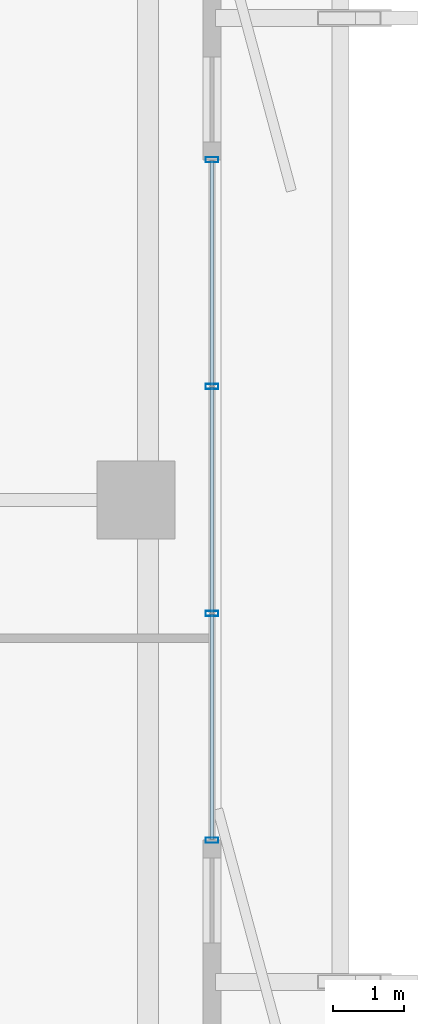
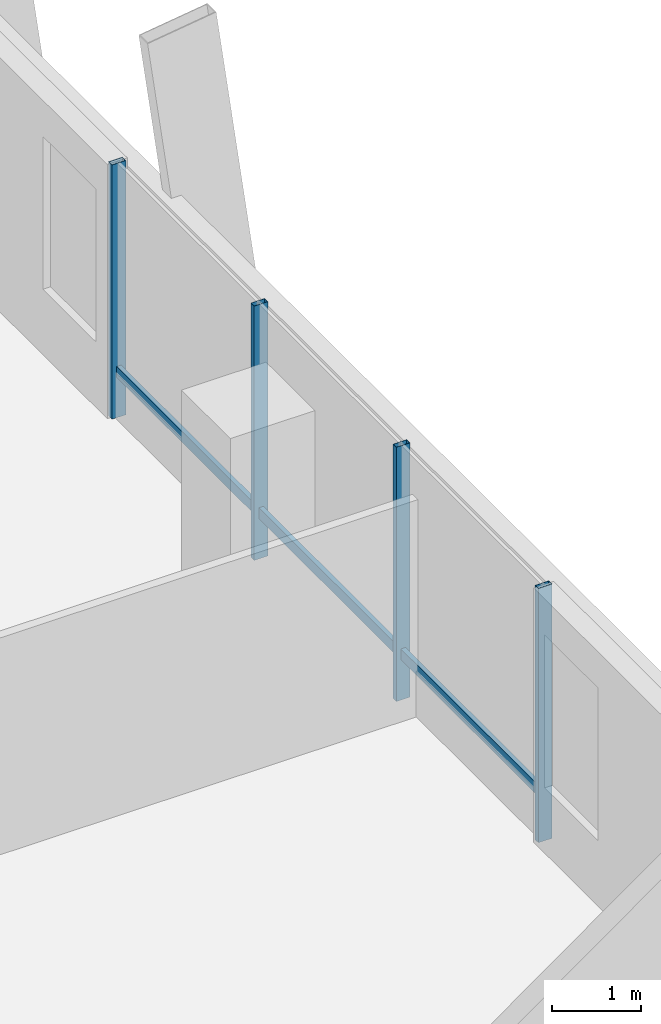
# One storey, part 8 of 16: 7 members, 1 element without a shape of its own.
"""IFC4 building model written with IfcOpenShell, lengths in metres."""

from ifc_helpers import new_model, si_unit, direction, frame, origin, origin_2d, place, context, subcontext, project, spatial, hollow_rectangle, extrude, material, layer, layer_set, material_profile, profile_set, type_object, element, aggregate, save


model = new_model("IFC4")

# Units and contexts
model_context = context("Model", 3, precision=1e-05, world=origin(), true_north=direction((0.0, 1.0)))
body_context = subcontext(model_context, "Body", "Model", "MODEL_VIEW")
ifc_project = project(units=[si_unit("LENGTHUNIT", "METRE"), si_unit("AREAUNIT", "SQUARE_METRE"), si_unit("VOLUMEUNIT", "CUBIC_METRE"), si_unit("PLANEANGLEUNIT", "RADIAN"), si_unit("MASSUNIT", "GRAM", prefix="KILO")], contexts=[model_context])

# Site, building, storey
site_placement = place(None, origin())
site = spatial("IfcSite", under=ifc_project, at=site_placement, CompositionType="ELEMENT")
building_placement = place(site_placement, origin())
building = spatial("IfcBuilding", under=site, at=building_placement, Name="Belovzor Exchange Tower", CompositionType="ELEMENT")
storey_placement = place(building_placement, frame((0.0, 0.0, 138.300048828125)))
storey = spatial("IfcBuildingStorey", under=building, at=storey_placement, Name="L33", CompositionType="ELEMENT", Elevation=138.300048828125)

# Curtain wall, members
ifc_material_1 = material(Name="Anodised Aluminium Framing", Category="aluminium")
ifc_layer = layer(ifc_material_1, 0.179931640625)
ifc_layer_set = layer_set([ifc_layer], Name="Anodised Aluminium Framing")
curtain_wall_type = type_object("IfcCurtainWallType", Name="Recessed Loggia Low-Iron Triple-Glazed Curtain Wall", PredefinedType="NOTDEFINED", material=ifc_layer_set)
curtain_wall_placement = place(storey_placement, origin())
curtain_wall = element("IfcCurtainWall", 1, at=curtain_wall_placement, inside=storey, type_object=curtain_wall_type, Name="CW3 Recessed Loggia Low-Iron Triple-Glazed Curtain Wall L33", PredefinedType="NOTDEFINED")
ifc_material_2 = material(Name="Steel S355", Category="steel")
ifc_material_profile_1 = material_profile(ifc_material_2, hollow_rectangle(XDim=0.074951171875, YDim=0.179931640625, WallThickness=0.0048828125, at=origin_2d()))
ifc_profile_set_1 = profile_set([ifc_material_profile_1], Name="Steel S355")
member_type_1 = type_object("IfcMemberType", Name="Thermally Broken Curtain Wall Mullion 180x75", PredefinedType="MULLION", material=ifc_profile_set_1)
member_1_placement = place(storey_placement, frame((52.969970703125, 33.60009765625, 0.0), z_axis=(0.0, 0.0, 1.0), x_axis=(0.0, -1.0, 0.0)))
member_1 = element("IfcMember", 2, at=member_1_placement, type_object=member_type_1, Name="CW-M180 Curtain Wall Mullion 1", PredefinedType="MULLION", context=body_context, shape_type="SweptSolid", body=[
    extrude(hollow_rectangle(XDim=0.074951171875, YDim=0.179931640625, WallThickness=0.0048828125, at=origin_2d()), origin(), (0.0, 0.0, 1.0), 3.494873046875),
])
member_2_placement = place(storey_placement, frame((52.969970703125, 30.39990234375, 0.0), z_axis=(0.0, 0.0, 1.0), x_axis=(0.0, -1.0, 0.0)))
member_2 = element("IfcMember", 3, at=member_2_placement, type_object=member_type_1, Name="CW-M180 Curtain Wall Mullion 2", PredefinedType="MULLION", context=body_context, shape_type="SweptSolid", body=[
    extrude(hollow_rectangle(XDim=0.074951171875, YDim=0.179931640625, WallThickness=0.0048828125, at=origin_2d()), origin(), (0.0, 0.0, 1.0), 3.494873046875),
])
member_3_placement = place(storey_placement, frame((52.969970703125, 27.199951171875, 0.0), z_axis=(0.0, 0.0, 1.0), x_axis=(0.0, -1.0, 0.0)))
member_3 = element("IfcMember", 4, at=member_3_placement, type_object=member_type_1, Name="CW-M180 Curtain Wall Mullion 3", PredefinedType="MULLION", context=body_context, shape_type="SweptSolid", body=[
    extrude(hollow_rectangle(XDim=0.074951171875, YDim=0.179931640625, WallThickness=0.0048828125, at=origin_2d()), origin(), (0.0, 0.0, 1.0), 3.494873046875),
])
member_4_placement = place(storey_placement, frame((52.969970703125, 24.0, 0.0), z_axis=(0.0, 0.0, 1.0), x_axis=(0.0, -1.0, 0.0)))
member_4 = element("IfcMember", 5, at=member_4_placement, type_object=member_type_1, Name="CW-M180 Curtain Wall Mullion 4", PredefinedType="MULLION", context=body_context, shape_type="SweptSolid", body=[
    extrude(hollow_rectangle(XDim=0.074951171875, YDim=0.179931640625, WallThickness=0.0048828125, at=origin_2d()), origin(), (0.0, 0.0, 1.0), 3.494873046875),
])
ifc_material_3 = material(Name="Steel S355", Category="steel")
ifc_material_profile_2 = material_profile(ifc_material_3, hollow_rectangle(XDim=0.06005859375, YDim=0.14990234375, WallThickness=0.00390625, at=origin_2d()))
ifc_profile_set_2 = profile_set([ifc_material_profile_2], Name="Steel S355")
member_type_2 = type_object("IfcMemberType", Name="Thermally Broken Curtain Wall Transom 150x60", PredefinedType="USERDEFINED", material=ifc_profile_set_2)
member_5_placement = place(storey_placement, frame((52.969970703125, 33.592041015625, 0.62890625), z_axis=(0.0, -1.0, 0.0), x_axis=(1.0, 0.0, 0.0)))
member_5 = element("IfcMember", 6, at=member_5_placement, type_object=member_type_2, Name="CW-T150 Curtain Wall Transom 1", ObjectType="TRANSOM", PredefinedType="USERDEFINED", context=body_context, shape_type="SweptSolid", body=[
    extrude(hollow_rectangle(XDim=0.06005859375, YDim=0.14990234375, WallThickness=0.00390625, at=origin_2d()), origin(), (0.0, 0.0, 1.0), 3.18408203125),
])
member_6_placement = place(storey_placement, frame((52.969970703125, 30.39208984375, 0.62890625), z_axis=(0.0, -1.0, 0.0), x_axis=(1.0, 0.0, 0.0)))
member_6 = element("IfcMember", 7, at=member_6_placement, type_object=member_type_2, Name="CW-T150 Curtain Wall Transom 2", ObjectType="TRANSOM", PredefinedType="USERDEFINED", context=body_context, shape_type="SweptSolid", body=[
    extrude(hollow_rectangle(XDim=0.06005859375, YDim=0.14990234375, WallThickness=0.00390625, at=origin_2d()), origin(), (0.0, 0.0, 1.0), 3.18408203125),
])
member_7_placement = place(storey_placement, frame((52.969970703125, 27.19189453125, 0.62890625), z_axis=(0.0, -1.0, 0.0), x_axis=(1.0, 0.0, 0.0)))
member_7 = element("IfcMember", 8, at=member_7_placement, type_object=member_type_2, Name="CW-T150 Curtain Wall Transom 3", ObjectType="TRANSOM", PredefinedType="USERDEFINED", context=body_context, shape_type="SweptSolid", body=[
    extrude(hollow_rectangle(XDim=0.06005859375, YDim=0.14990234375, WallThickness=0.00390625, at=origin_2d()), origin(), (0.0, 0.0, 1.0), 3.183837890625),
])
aggregate(curtain_wall, [member_1, member_2, member_3, member_4, member_5, member_6, member_7])

save(model, "model.ifc")
